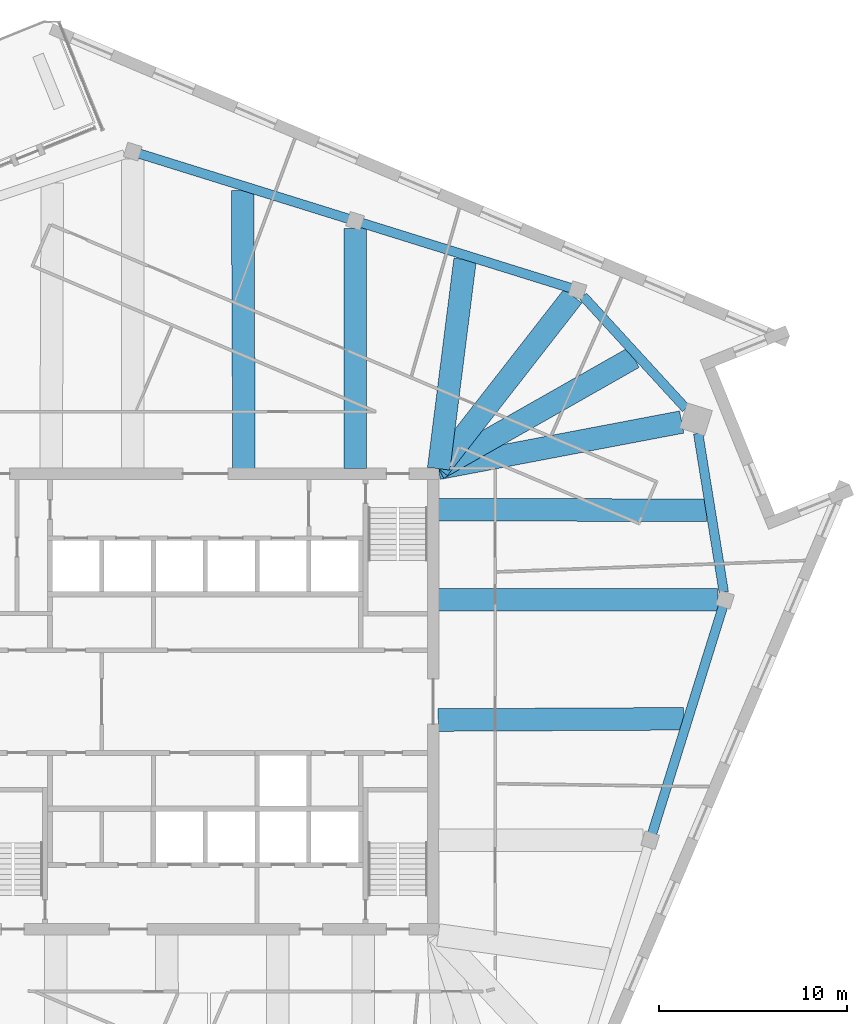
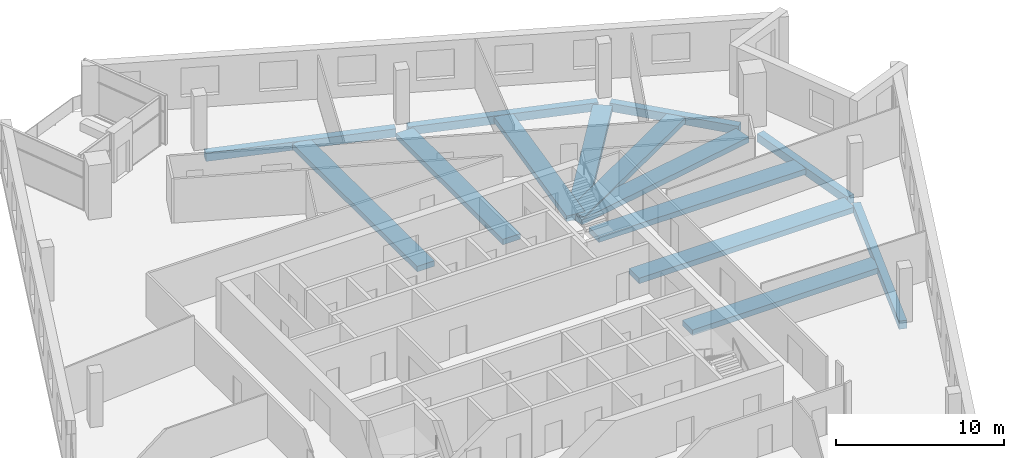
# One storey, part 3 of 13: 14 beams.
"""IFC4 building model written with IfcOpenShell, lengths in metres."""

from ifc_helpers import new_model, si_unit, direction, frame, origin, origin_2d, place, context, subcontext, project, spatial, rectangle, extrude, material, material_profile, profile_set, type_object, element, save


model = new_model("IFC4")

# Units and contexts
model_context = context("Model", 3, precision=1e-05, world=origin(), true_north=direction((0.0, 1.0)))
body_context = subcontext(model_context, "Body", "Model", "MODEL_VIEW")
ifc_project = project(units=[si_unit("LENGTHUNIT", "METRE"), si_unit("AREAUNIT", "SQUARE_METRE"), si_unit("VOLUMEUNIT", "CUBIC_METRE"), si_unit("PLANEANGLEUNIT", "RADIAN"), si_unit("MASSUNIT", "GRAM", prefix="KILO")], contexts=[model_context])

# Site, building, storey
site_placement = place(None, origin())
site = spatial("IfcSite", under=ifc_project, at=site_placement, CompositionType="ELEMENT")
building_placement = place(site_placement, origin())
building = spatial("IfcBuilding", under=site, at=building_placement, Name="Dilmun Exchange Tower", CompositionType="ELEMENT")
storey_placement = place(building_placement, frame((0.0, 0.0, 300.5)))
storey = spatial("IfcBuildingStorey", under=building, at=storey_placement, Name="L71", CompositionType="ELEMENT", Elevation=300.5)

# Beams
ifc_material = material(Name="Concrete C40/50", Category="concrete")
ifc_material_profile_1 = material_profile(ifc_material, rectangle(XDim=1.199951171875, YDim=0.39990234375, at=origin_2d()), Name="1200 x 400")
ifc_profile_set_1 = profile_set([ifc_material_profile_1], Name="Concrete C40/50")
beam_type_1 = type_object("IfcBeamType", Name="RC band beam 1200 x 400 C40/50", PredefinedType="BEAM", material=ifc_profile_set_1)
beam_1_placement = place(storey_placement, frame((27.216064453125, 5.406005859375, -0.64990234375), z_axis=(-1.0, 0.0, 0.0), x_axis=(0.0, -1.0, 0.0)))
element("IfcBeam", 1, at=beam_1_placement, inside=storey, type_object=beam_type_1, Name="Band beam 12", PredefinedType="BEAM", context=body_context, shape_type="SweptSolid", body=[
    extrude(rectangle(XDim=1.199951171875, YDim=0.39990234375, at=origin_2d()), origin(), (0.0, 0.0, 1.0), 14.843017578125),
])
beam_2_placement = place(storey_placement, frame((25.30712890625, 14.85205078125, -0.64990234375), z_axis=(-0.982429348436, -0.18663487169, 0.0), x_axis=(0.18663487169, -0.982429348436, 0.0)))
element("IfcBeam", 2, at=beam_2_placement, inside=storey, type_object=beam_type_1, Name="Band beam 13", PredefinedType="BEAM", context=body_context, shape_type="SweptSolid", body=[
    extrude(rectangle(XDim=1.199951171875, YDim=0.39990234375, at=origin_2d()), origin(), (0.0, 0.0, 1.0), 13.164794921875),
])
beam_3_placement = place(storey_placement, frame((19.52685546875, 21.541259765625, -0.64990234375), z_axis=(-0.614856714099, -0.788638840743, 0.0), x_axis=(0.788638840743, -0.614856714099, 0.0)))
element("IfcBeam", 3, at=beam_3_placement, inside=storey, type_object=beam_type_1, Name="Band beam 14", PredefinedType="BEAM", context=body_context, shape_type="SweptSolid", body=[
    extrude(rectangle(XDim=1.199951171875, YDim=0.39990234375, at=origin_2d()), origin(), (0.0, 0.0, 1.0), 11.6181640625),
])
beam_4_placement = place(storey_placement, frame((7.9580078125, 25.14697265625, -0.64990234375), z_axis=(0.0, -1.0, 0.0), x_axis=(1.0, 0.0, 0.0)))
element("IfcBeam", 4, at=beam_4_placement, inside=storey, type_object=beam_type_1, Name="Band beam 15", PredefinedType="BEAM", context=body_context, shape_type="SweptSolid", body=[
    extrude(rectangle(XDim=1.199951171875, YDim=0.39990234375, at=origin_2d()), origin(), (0.0, 0.0, 1.0), 12.77392578125),
])
beam_5_placement = place(storey_placement, frame((25.405517578125, -0.912109375, -0.550048828125), z_axis=(-0.999987018468, -0.005095379798, 0.0), x_axis=(0.005095379798, -0.999987018468, 0.0)))
element("IfcBeam", 5, at=beam_5_placement, inside=storey, type_object=beam_type_1, Name="Band beam 27", PredefinedType="BEAM", context=body_context, shape_type="SweptSolid", body=[
    extrude(rectangle(XDim=1.199951171875, YDim=0.39990234375, at=origin_2d()), origin(), (0.0, 0.0, 1.0), 13.03271484375),
])
beam_6_placement = place(storey_placement, frame((26.614013671875, 10.1650390625, -0.550048828125), z_axis=(-0.999996910379, 0.002485806038, 0.0), x_axis=(-0.002485806038, -0.999996910379, 0.0)))
element("IfcBeam", 6, at=beam_6_placement, inside=storey, type_object=beam_type_1, Name="Band beam 28", PredefinedType="BEAM", context=body_context, shape_type="SweptSolid", body=[
    extrude(rectangle(XDim=1.199951171875, YDim=0.39990234375, at=origin_2d()), origin(), (0.0, 0.0, 1.0), 14.240966796875),
])
beam_7_placement = place(storey_placement, frame((22.752197265625, 18.275390625, -0.550048828125), z_axis=(-0.869690188955, -0.493597989496, 0.0), x_axis=(0.493597989496, -0.869690188955, 0.0)))
element("IfcBeam", 7, at=beam_7_placement, inside=storey, type_object=beam_type_1, Name="Band beam 29", PredefinedType="BEAM", context=body_context, shape_type="SweptSolid", body=[
    extrude(rectangle(XDim=1.199951171875, YDim=0.39990234375, at=origin_2d()), origin(), (0.0, 0.0, 1.0), 11.93017578125),
])
beam_8_placement = place(storey_placement, frame((13.79931640625, 23.485107421875, -0.550048828125), z_axis=(-0.125252659456, -0.992124876867, 0.0), x_axis=(0.992124876867, -0.125252659456, 0.0)))
element("IfcBeam", 8, at=beam_8_placement, inside=storey, type_object=beam_type_1, Name="Band beam 30", PredefinedType="BEAM", context=body_context, shape_type="SweptSolid", body=[
    extrude(rectangle(XDim=1.199951171875, YDim=0.39990234375, at=origin_2d()), origin(), (0.0, 0.0, 1.0), 11.199951171875),
])
beam_9_placement = place(storey_placement, frame((1.984619140625, 27.16650390625, -0.550048828125), z_axis=(0.004488848064, -0.999989925071, 0.0), x_axis=(0.999989925071, 0.004488848064, 0.0)))
element("IfcBeam", 9, at=beam_9_placement, inside=storey, type_object=beam_type_1, Name="Band beam 31", PredefinedType="BEAM", context=body_context, shape_type="SweptSolid", body=[
    extrude(rectangle(XDim=1.199951171875, YDim=0.39990234375, at=origin_2d()), origin(), (0.0, 0.0, 1.0), 14.793701171875),
])
ifc_material_profile_2 = material_profile(ifc_material, rectangle(XDim=0.5, YDim=0.60009765625, at=origin_2d()), Name="500 x 600")
ifc_profile_set_2 = profile_set([ifc_material_profile_2], Name="Concrete C40/50")
beam_type_2 = type_object("IfcBeamType", Name="RC ring beam 500 x 600 C40/50", PredefinedType="SPANDREL", material=ifc_profile_set_2)
beam_10_placement = place(storey_placement, frame((23.739990234375, -7.0068359375, -0.64990234375), z_axis=(0.297508749799, 0.954719091562, 0.0), x_axis=(-0.954719091562, 0.297508749799, 0.0)))
element("IfcBeam", 10, at=beam_10_placement, inside=storey, type_object=beam_type_2, Name="Ring beam 11", PredefinedType="SPANDREL", context=body_context, shape_type="SweptSolid", body=[
    extrude(rectangle(XDim=0.5, YDim=0.60009765625, at=origin_2d()), origin(), (0.0, 0.0, 1.0), 12.62841796875),
])
beam_11_placement = place(storey_placement, frame((27.541015625, 5.820556640625, -0.64990234375), z_axis=(-0.159356501233, 0.987221102649, 0.0), x_axis=(-0.987221102649, -0.159356501233, 0.0)))
element("IfcBeam", 11, at=beam_11_placement, inside=storey, type_object=beam_type_2, Name="Ring beam 12", PredefinedType="SPANDREL", context=body_context, shape_type="SweptSolid", body=[
    extrude(rectangle(XDim=0.5, YDim=0.60009765625, at=origin_2d()), origin(), (0.0, 0.0, 1.0), 8.5380859375),
])
beam_12_placement = place(storey_placement, frame((25.531005859375, 15.572265625, -0.64990234375), z_axis=(-0.675535971399, 0.737327031476, 0.0), x_axis=(-0.737327031476, -0.675535971399, 0.0)))
element("IfcBeam", 12, at=beam_12_placement, inside=storey, type_object=beam_type_2, Name="Ring beam 13", PredefinedType="SPANDREL", context=body_context, shape_type="SweptSolid", body=[
    extrude(rectangle(XDim=0.5, YDim=0.60009765625, at=origin_2d()), origin(), (0.0, 0.0, 1.0), 8.087890625),
])
beam_13_placement = place(storey_placement, frame((19.4169921875, 21.968017578125, -0.64990234375), z_axis=(-0.95471613385, 0.297518241065, 0.0), x_axis=(-0.297518241065, -0.95471613385, 0.0)))
element("IfcBeam", 13, at=beam_13_placement, inside=storey, type_object=beam_type_2, Name="Ring beam 14", PredefinedType="SPANDREL", context=body_context, shape_type="SweptSolid", body=[
    extrude(rectangle(XDim=0.5, YDim=0.60009765625, at=origin_2d()), origin(), (0.0, 0.0, 1.0), 11.62939453125),
])
beam_14_placement = place(storey_placement, frame((7.601806640625, 25.64990234375, -0.64990234375), z_axis=(-0.954732553331, 0.297465546931, 0.0), x_axis=(-0.297465546931, -0.954732553331, 0.0)))
element("IfcBeam", 14, at=beam_14_placement, inside=storey, type_object=beam_type_2, Name="Ring beam 15", PredefinedType="SPANDREL", context=body_context, shape_type="SweptSolid", body=[
    extrude(rectangle(XDim=0.5, YDim=0.60009765625, at=origin_2d()), origin(), (0.0, 0.0, 1.0), 11.628173828125),
])

save(model, "model.ifc")
